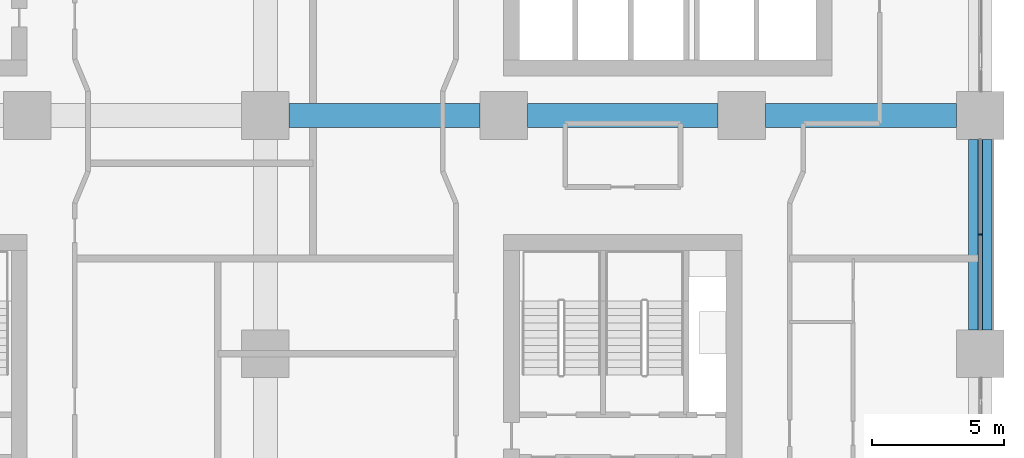
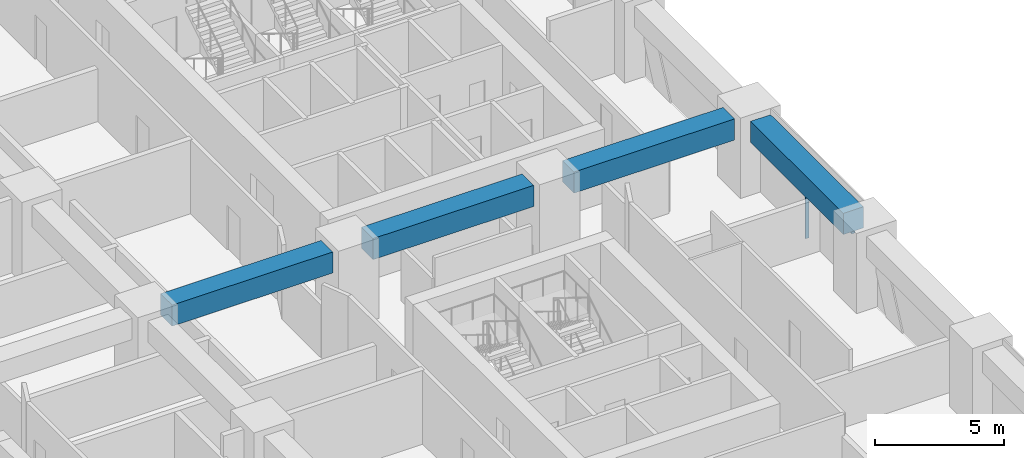
# One storey, part 5 of 23: 4 beams, 2 members, 1 element without a shape of its own.
"""IFC4 building model written with IfcOpenShell, lengths in metres."""

from ifc_helpers import new_model, si_unit, direction, frame, origin, origin_2d, place, context, subcontext, project, spatial, rectangle, extrude, material, material_profile, profile_set, type_object, element, aggregate, save


model = new_model("IFC4")

# Units and contexts
model_context = context("Model", 3, precision=1e-05, world=origin(), true_north=direction((0.0, 1.0)))
body_context = subcontext(model_context, "Body", "Model", "MODEL_VIEW")
ifc_project = project(units=[si_unit("LENGTHUNIT", "METRE"), si_unit("AREAUNIT", "SQUARE_METRE"), si_unit("VOLUMEUNIT", "CUBIC_METRE"), si_unit("PLANEANGLEUNIT", "RADIAN"), si_unit("MASSUNIT", "GRAM", prefix="KILO")], contexts=[model_context])

# Site, building, storey
site_placement = place(None, origin())
site = spatial("IfcSite", under=ifc_project, at=site_placement, CompositionType="ELEMENT")
building_placement = place(site_placement, origin())
building = spatial("IfcBuilding", under=site, at=building_placement, Name="Tessera Arch", CompositionType="ELEMENT")
storey_placement = place(building_placement, frame((0.0, 0.0, 57.60009765625)))
storey = spatial("IfcBuildingStorey", under=building, at=storey_placement, Name="L12", CompositionType="ELEMENT", Elevation=57.60009765625)

# Curtain wall, members
ifc_material_1 = material(Name="CW1 curtain wall")
curtain_wall_type = type_object("IfcCurtainWallType", Name="CW1 curtain wall", PredefinedType="NOTDEFINED", material=ifc_material_1)
curtain_wall_placement = place(storey_placement, origin())
curtain_wall = element("IfcCurtainWall", 1, at=curtain_wall_placement, inside=storey, type_object=curtain_wall_type, Name="CW1 curtain wall E54.0/2 L12", PredefinedType="NOTDEFINED")
ifc_material_2 = material(Name="Anodised aluminium pale metal", Category="aluminium")
ifc_material_profile_1 = material_profile(ifc_material_2, rectangle(XDim=0.159912109375, YDim=0.06005859375, at=origin_2d()), Name="AL 60x160")
ifc_profile_set_1 = profile_set([ifc_material_profile_1], Name="Anodised aluminium pale metal")
member_type_1 = type_object("IfcMemberType", Name="CW1 mullion", PredefinedType="MULLION", material=ifc_profile_set_1)
member_1_placement = place(storey_placement, frame((54.0, 22.5, 0.0), z_axis=(0.0, 0.0, 1.0), x_axis=(-1.0, 0.0, 0.0)))
member_1 = element("IfcMember", 2, at=member_1_placement, type_object=member_type_1, Name="CW1 mullion E54.0/2 1", PredefinedType="MULLION", context=body_context, shape_type="SweptSolid", body=[
    extrude(rectangle(XDim=0.159912109375, YDim=0.06005859375, at=origin_2d()), origin(), (0.0, 0.0, 1.0), 2.39990234375),
])
ifc_material_3 = material(Name="Anodised aluminium pale metal", Category="aluminium")
ifc_material_profile_2 = material_profile(ifc_material_3, rectangle(XDim=0.159912109375, YDim=0.10009765625, at=origin_2d()), Name="AL 160x100")
ifc_profile_set_2 = profile_set([ifc_material_profile_2], Name="Anodised aluminium pale metal")
member_type_2 = type_object("IfcMemberType", Name="CW1 transom", PredefinedType="USERDEFINED", material=ifc_profile_set_2)
member_2_placement = place(storey_placement, frame((54.0, 18.89990234375, 2.449951171875), z_axis=(0.0, 1.0, 0.0), x_axis=(-1.0, 0.0, 0.0)))
member_2 = element("IfcMember", 3, at=member_2_placement, type_object=member_type_2, Name="CW1 transom E54.0/2 1.1", ObjectType="TRANSOM", PredefinedType="USERDEFINED", context=body_context, shape_type="SweptSolid", body=[
    extrude(rectangle(XDim=0.159912109375, YDim=0.10009765625, at=origin_2d()), origin(), (0.0, 0.0, 1.0), 7.2001953125),
])
aggregate(curtain_wall, [member_1, member_2])

# Beams
ifc_material_4 = material(Name="Concrete C80/95", Category="concrete")
ifc_material_profile_3 = material_profile(ifc_material_4, rectangle(XDim=0.89990234375, YDim=1.0, at=origin_2d()), Name="RC spandrel beam 900 x 1000 Concrete C80/95")
ifc_profile_set_3 = profile_set([ifc_material_profile_3], Name="Concrete C80/95")
beam_type = type_object("IfcBeamType", Name="RC spandrel beam 900 x 1000 Concrete C80/95", PredefinedType="BEAM", material=ifc_profile_set_3)
for number, where, z_axis, x_axis, name in (
    (4, (54.0, 18.89990234375, 3.0), (0.0, 1.0, 0.0), (-1.0, 0.0, 0.0), "Spandrel beam L12 E54.0/2"),
    (5, (27.89990234375, 27.0, 3.0), (1.0, 0.0, 0.0), (0.0, 1.0, 0.0), "Interface beam L12 I1C4D-C5D"),
    (6, (36.89990234375, 27.0, 3.0), (1.0, 0.0, 0.0), (0.0, 1.0, 0.0), "Interface beam L12 I1C5D-C6D"),
    (7, (45.89990234375, 27.0, 3.0), (1.0, 0.0, 0.0), (0.0, 1.0, 0.0), "Interface beam L12 I1C6D-C7D"),
):
    element("IfcBeam", number, at=place(storey_placement, frame(where, z_axis=z_axis, x_axis=x_axis)), inside=storey, type_object=beam_type, Name=name, PredefinedType="BEAM", context=body_context, shape_type="SweptSolid", body=[
        extrude(rectangle(XDim=0.89990234375, YDim=1.0, at=origin_2d()), origin(), (0.0, 0.0, 1.0), 7.2001953125),
    ])

save(model, "model.ifc")
